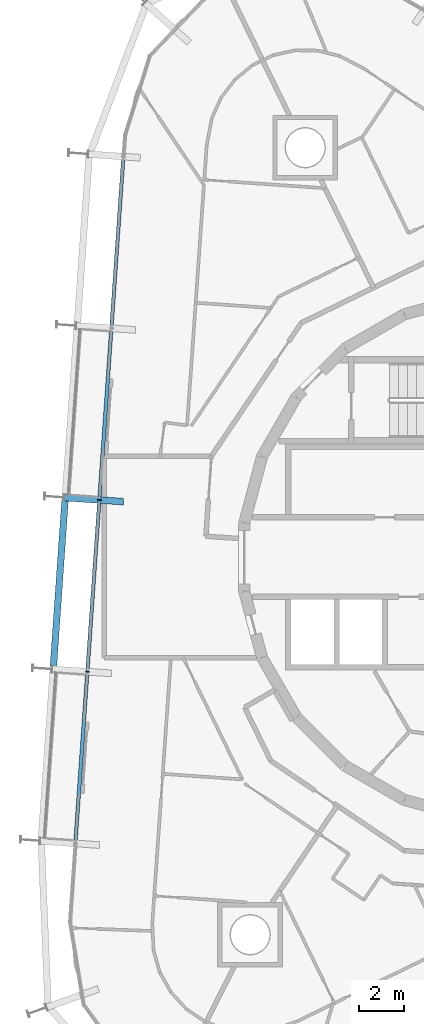
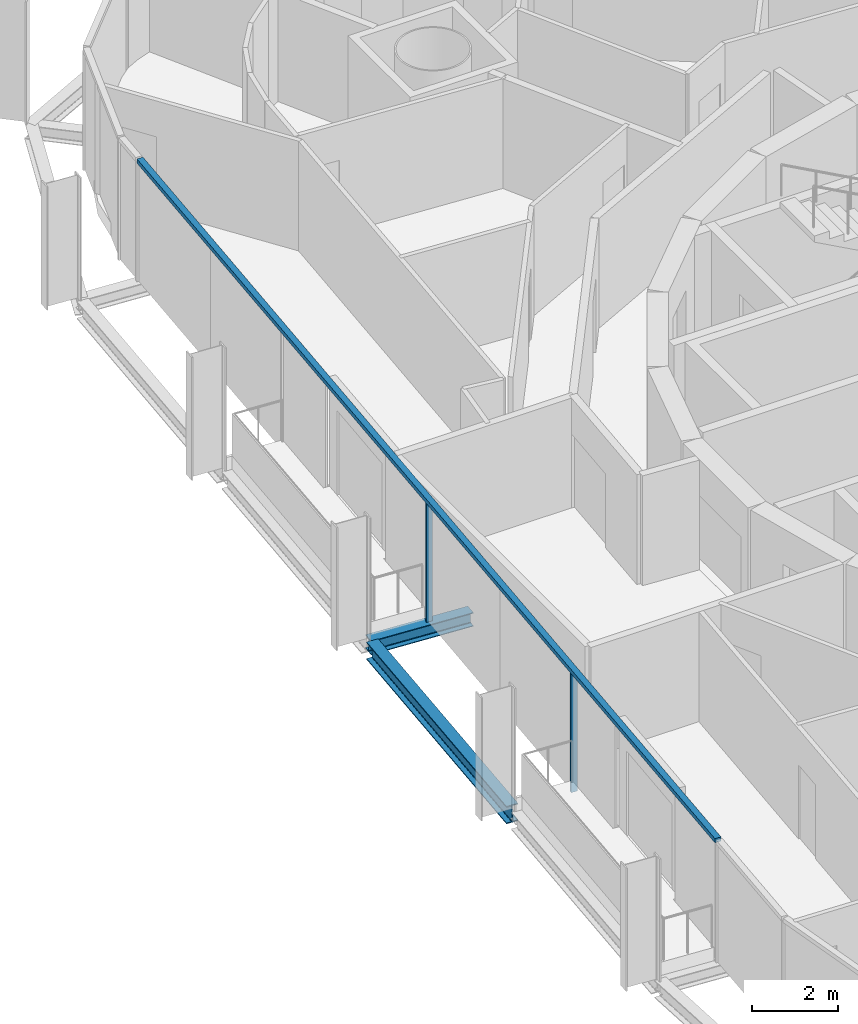
# One storey, part 4 of 18: 3 members, 2 beams, 1 element without a shape of its own.
"""IFC4 building model written with IfcOpenShell, lengths in metres."""

import ifcopenshell
import ifcopenshell.guid

model = None  # the IFC model being written
_history = None  # IfcOwnerHistory: only IFC2X3 demands one
_inside = {}  # id of a spatial element -> (the spatial element, [elements in it])
_under = {}  # id of a project, library or spatial element -> (it, [spatial elements below it])
_declared = {}  # id of a project -> (the project, [libraries it declares])
_typed = {}  # id of a type object -> (the type object, [elements of that type])
_made_of = {}  # id of a material, layer set ... -> (it, [elements and type objects made of it])


def new_model(schema):
    """Start an empty IFC model of exactly this schema.

    Asked for "IFC4X3", IfcOpenShell would pick the latest addendum, in which some entities
    have other attributes; the version numbers below select the first issue.
    IFC2X3 requires an IfcOwnerHistory on every rooted entity: one is made here for all.
    """
    global model, _history
    if schema == "IFC4X3":
        model = ifcopenshell.file(schema_version=(4, 3, 0, 0))
    else:
        model = ifcopenshell.file(schema=schema)
    _inside.clear()
    _under.clear()
    _declared.clear()
    _typed.clear()
    _made_of.clear()
    _history = None
    if model.schema == "IFC2X3":
        org = make("IfcOrganization", Name="unknown")
        user = make(
            "IfcPersonAndOrganization",
            ThePerson=make("IfcPerson", FamilyName="unknown"),
            TheOrganization=org,
        )
        app = make(
            "IfcApplication",
            ApplicationDeveloper=org,
            Version="unknown",
            ApplicationFullName="unknown",
            ApplicationIdentifier="unknown",
        )
        _history = make(
            "IfcOwnerHistory",
            OwningUser=user,
            OwningApplication=app,
            ChangeAction="ADDED",
            CreationDate=0,
        )
    return model


def make(cls, **values):
    """One entity of the class cls with the attributes given. An attribute that is None is left unset."""
    return model.create_entity(
        cls, **{name: value for name, value in values.items() if value is not None}
    )


def rooted(cls, **values):
    """An entity with a GlobalId (a new one), such as an element, a storey or a relation."""
    return make(cls, GlobalId=ifcopenshell.guid.new(), OwnerHistory=_history, **values)


def si_unit(unit_type, name, prefix=None):
    """IfcSIUnit, for example si_unit("LENGTHUNIT", "METRE", prefix="MILLI")."""
    return make("IfcSIUnit", UnitType=unit_type, Prefix=prefix, Name=name)


def assignment(units):
    """IfcUnitAssignment: the units of a project."""
    return None if units is None else make("IfcUnitAssignment", Units=units)


def point(xyz):
    """IfcCartesianPoint."""
    return None if xyz is None else make("IfcCartesianPoint", Coordinates=xyz)


def direction(xyz):
    """IfcDirection."""
    return None if xyz is None else make("IfcDirection", DirectionRatios=xyz)


def frame(location, z_axis=None, x_axis=None):
    """IfcAxis2Placement3D, a coordinate frame: its origin and axes. An axis left out is left unset."""
    return make(
        "IfcAxis2Placement3D",
        Location=point(location),
        Axis=direction(z_axis),
        RefDirection=direction(x_axis),
    )


def frame_2d(location, x_axis=None):
    """IfcAxis2Placement2D, a coordinate frame in the plane: its origin and x axis."""
    return make(
        "IfcAxis2Placement2D", Location=point(location), RefDirection=direction(x_axis)
    )


def origin():
    """The frame at (0, 0, 0) with its axes left unset."""
    return frame((0.0, 0.0, 0.0))


def origin_2d():
    """The frame at (0, 0) in the plane with its x axis left unset."""
    return frame_2d((0.0, 0.0))


def place(relative_to, where):
    """IfcLocalPlacement: puts the frame where relative to a parent placement (None: the world)."""
    return make(
        "IfcLocalPlacement", PlacementRelTo=relative_to, RelativePlacement=where
    )


def context(
    kind, dimensions, precision=None, world=None, true_north=None, identifier=None
):
    """IfcGeometricRepresentationContext, for example the 3D "Model" context."""
    return make(
        "IfcGeometricRepresentationContext",
        ContextIdentifier=identifier,
        ContextType=kind,
        CoordinateSpaceDimension=dimensions,
        Precision=precision,
        WorldCoordinateSystem=world,
        TrueNorth=true_north,
    )


def subcontext(parent, identifier, kind, view, scale=None):
    """IfcGeometricRepresentationSubContext, for example "Body" below "Model"."""
    return make(
        "IfcGeometricRepresentationSubContext",
        ContextIdentifier=identifier,
        ContextType=kind,
        ParentContext=parent,
        TargetScale=scale,
        TargetView=view,
    )


def project(units=None, contexts=None):
    """IfcProject with its units and contexts."""
    return rooted(
        "IfcProject",
        Name="project",
        RepresentationContexts=contexts,
        UnitsInContext=assignment(units),
    )


def spatial(cls, under=None, at=None, **own):
    """A site, building, storey or space (cls), placed at a placement, below another one or the project."""
    s = rooted(cls, ObjectPlacement=at, **own)
    if under is not None:
        _under.setdefault(under.id(), (under, []))[1].append(s)
    return s


def profile(cls, at=None, kind="AREA", **sizes):
    """A parametric profile (cls). Its sizes go by their IFC names, for example OverallWidth=200.0."""
    return make(cls, ProfileType=kind, Position=at, **sizes)


def rectangle(**sizes):
    """IfcRectangleProfileDef."""
    return profile("IfcRectangleProfileDef", **sizes)


def i_section(**sizes):
    """IfcIShapeProfileDef."""
    return profile("IfcIShapeProfileDef", **sizes)


def extrude(swept, where, along, depth):
    """IfcExtrudedAreaSolid: the profile swept, set in the frame where, extruded along a direction by depth."""
    return make(
        "IfcExtrudedAreaSolid",
        SweptArea=swept,
        Position=where,
        ExtrudedDirection=direction(along),
        Depth=depth,
    )


def shape(context_of_items, identifier, shape_type, items):
    """IfcShapeRepresentation: the items that make up one representation, for example the "Body"."""
    return make(
        "IfcShapeRepresentation",
        ContextOfItems=context_of_items,
        RepresentationIdentifier=identifier,
        RepresentationType=shape_type,
        Items=items,
    )


def material(Name=None, Category=None):
    """IfcMaterial."""
    return make("IfcMaterial", Name=Name, Category=Category)


def layer(
    of_material, thickness, ventilated=None, Name=None, Category=None, Priority=None
):
    """IfcMaterialLayer: one layer of a wall or slab, of a material (None: an air gap)."""
    return make(
        "IfcMaterialLayer",
        Material=of_material,
        LayerThickness=thickness,
        IsVentilated=ventilated,
        Name=Name,
        Category=Category,
        Priority=Priority,
    )


def layer_set(layers, Name=None):
    """IfcMaterialLayerSet."""
    return make("IfcMaterialLayerSet", MaterialLayers=layers, LayerSetName=Name)


def material_profile(
    of_material, cross_section, Name=None, Category=None, Priority=None
):
    """IfcMaterialProfile: a cross section and its material."""
    return make(
        "IfcMaterialProfile",
        Name=Name,
        Material=of_material,
        Profile=cross_section,
        Priority=Priority,
        Category=Category,
    )


def profile_set(profiles, Name=None, composite=None):
    """IfcMaterialProfileSet."""
    return make(
        "IfcMaterialProfileSet",
        Name=Name,
        MaterialProfiles=profiles,
        CompositeProfile=composite,
    )


def made_of(thing, what):
    """Note that an element or type object is made of a material, layer set ...; save() writes the relation."""
    if what is not None:
        _made_of.setdefault(what.id(), (what, []))[1].append(thing)
    return thing


def type_object(cls, material=None, **own):
    """A type object (cls), such as IfcWallType, which elements share."""
    return made_of(rooted(cls, **own), material)


def element(
    cls,
    number,
    at=None,
    inside=None,
    cuts=None,
    type_object=None,
    material=None,
    context=None,
    identifier="Body",
    shape_type=None,
    held_by="IfcProductDefinitionShape",
    body=None,
    shapes=None,
    **own,
):
    """One element of the class cls, such as IfcWall. Its Tag is "e" and its number.

    at: its placement. inside: the storey or other place that contains it. cuts: it is an
    opening in that element (IfcRelVoidsElement). A single representation is given by context,
    identifier, shape_type and body (its items); several are given by shapes. held_by: the class
    of the entity that holds the representations. save() writes the other relations.
    """
    e = rooted(cls, Tag="e%d" % number, ObjectPlacement=at, **own)
    if body is not None:
        shapes = [shape(context, identifier, shape_type, body)]
    if shapes is not None:
        e.Representation = make(held_by, Representations=shapes)
    if inside is not None:
        _inside.setdefault(inside.id(), (inside, []))[1].append(e)
    if cuts is not None:
        rooted(
            "IfcRelVoidsElement", RelatingBuildingElement=cuts, RelatedOpeningElement=e
        )
    if type_object is not None:
        _typed.setdefault(type_object.id(), (type_object, []))[1].append(e)
    return made_of(e, material)


def aggregate(whole, parts):
    """IfcRelAggregates: a whole, such as a stair, and the parts it consists of."""
    return rooted("IfcRelAggregates", RelatingObject=whole, RelatedObjects=parts)


def save(model, path):
    """Write the relations noted so far, then the file.

    IfcRelAggregates (storeys below a building ...), IfcRelContainedInSpatialStructure (elements
    in a storey), IfcRelDefinesByType, IfcRelAssociatesMaterial and IfcRelDeclares: one each for
    every whole, place, type object, material and project.
    """
    for whole, parts in _under.values():
        aggregate(whole, parts)
    for where, things in _inside.values():
        rooted(
            "IfcRelContainedInSpatialStructure",
            RelatedElements=things,
            RelatingStructure=where,
        )
    for kind, things in _typed.values():
        rooted("IfcRelDefinesByType", RelatedObjects=things, RelatingType=kind)
    for what, things in _made_of.values():
        rooted("IfcRelAssociatesMaterial", RelatedObjects=things, RelatingMaterial=what)
    for by, libraries in _declared.values():
        rooted("IfcRelDeclares", RelatingContext=by, RelatedDefinitions=libraries)
    model.write(path)


model = new_model("IFC4")

# Units and contexts
model_context = context("Model", 3, precision=1e-05, world=origin(), true_north=direction((0.0, 1.0)))
body_context = subcontext(model_context, "Body", "Model", "MODEL_VIEW")
ifc_project = project(units=[si_unit("LENGTHUNIT", "METRE"), si_unit("AREAUNIT", "SQUARE_METRE"), si_unit("VOLUMEUNIT", "CUBIC_METRE"), si_unit("PLANEANGLEUNIT", "RADIAN"), si_unit("MASSUNIT", "GRAM", prefix="KILO")], contexts=[model_context])

# Site, building, storey
site_placement = place(None, origin())
site = spatial("IfcSite", under=ifc_project, at=site_placement, CompositionType="ELEMENT")
building_placement = place(site_placement, origin())
building = spatial("IfcBuilding", under=site, at=building_placement, Name="Spindle Arch Residences", CompositionType="ELEMENT")
storey_placement = place(building_placement, frame((0.0, 0.0, 198.89990234375)))
storey = spatial("IfcBuildingStorey", under=building, at=storey_placement, Name="L50", CompositionType="ELEMENT", Elevation=198.89990234375)

# Curtain wall, members
ifc_material_1 = material(Name="Aluminium bronze unitised frame with tinted glass", Category="aluminium")
ifc_layer = layer(ifc_material_1, 0.159912109375)
ifc_layer_set = layer_set([ifc_layer], Name="CW-C typical residential unitised wall")
curtain_wall_type = type_object("IfcCurtainWallType", Name="CW-C typical residential unitised wall", PredefinedType="NOTDEFINED", material=ifc_layer_set)
curtain_wall_placement = place(storey_placement, origin())
curtain_wall = element("IfcCurtainWall", 1, at=curtain_wall_placement, inside=storey, type_object=curtain_wall_type, Name="CW-C L50 run 4", PredefinedType="NOTDEFINED")
ifc_material_2 = material(Name="Aluminium bronze anodised mullion", Category="aluminium")
ifc_material_profile_1 = material_profile(ifc_material_2, rectangle(XDim=0.159912109375, YDim=0.06005859375, at=origin_2d()), Name="MU 60x160")
ifc_profile_set_1 = profile_set([ifc_material_profile_1], Name="Aluminium bronze anodised mullion")
member_type_1 = type_object("IfcMemberType", Name="Bronze mullion 60x160", PredefinedType="MULLION", material=ifc_profile_set_1)
member_1_placement = place(storey_placement, frame((-18.126708984375, 2.552978515625, -0.3798828125), z_axis=(0.0, 0.0, 1.0), x_axis=(0.99756405026, -0.069756473744, 0.0)))
member_1 = element("IfcMember", 2, at=member_1_placement, type_object=member_type_1, Name="CW-C mullion 14", PredefinedType="MULLION", context=body_context, shape_type="SweptSolid", body=[
    extrude(rectangle(XDim=0.159912109375, YDim=0.06005859375, at=origin_2d()), origin(), (0.0, 0.0, 1.0), 3.3798828125),
])
member_2_placement = place(storey_placement, frame((-18.66357421875, -5.1220703125, -0.3798828125), z_axis=(0.0, 0.0, 1.0), x_axis=(0.99756405026, -0.069756473744, 0.0)))
member_2 = element("IfcMember", 3, at=member_2_placement, type_object=member_type_1, Name="CW-C mullion 15", PredefinedType="MULLION", context=body_context, shape_type="SweptSolid", body=[
    extrude(rectangle(XDim=0.159912109375, YDim=0.06005859375, at=origin_2d()), origin(), (0.0, 0.0, 1.0), 3.3798828125),
])
ifc_material_3 = material(Name="Aluminium bronze anodised transom", Category="aluminium")
ifc_material_profile_2 = material_profile(ifc_material_3, rectangle(XDim=0.159912109375, YDim=0.1201171875, at=origin_2d()), Name="TR 120x160")
ifc_profile_set_2 = profile_set([ifc_material_profile_2], Name="Aluminium bronze anodised transom")
member_type_2 = type_object("IfcMemberType", Name="Bronze transom 120x160", PredefinedType="USERDEFINED", material=ifc_profile_set_2)
member_3_placement = place(storey_placement, frame((-17.0556640625, 17.873046875, 3.06005859375), z_axis=(-0.069748921728, -0.997564578319, 0.0), x_axis=(0.997564578319, -0.069748921728, 0.0)))
member_3 = element("IfcMember", 4, at=member_3_placement, type_object=member_type_2, Name="CW-C transom 00", ObjectType="TRANSOM", PredefinedType="USERDEFINED", context=body_context, shape_type="SweptSolid", body=[
    extrude(rectangle(XDim=0.159912109375, YDim=0.1201171875, at=origin_2d()), origin(), (0.0, 0.0, 1.0), 30.71484375),
])
aggregate(curtain_wall, [member_3, member_1, member_2])

# Beams
ifc_material_4 = material(Name="Steel S460ML, intumescent coating R 120", Category="steel")
ifc_material_profile_3 = material_profile(ifc_material_4, i_section(OverallWidth=0.300048828125, OverallDepth=0.5, WebThickness=0.014404296875, FlangeThickness=0.028076171875, FilletRadius=0.027099609375, at=origin_2d()), Name="HEB 500")
ifc_profile_set_3 = profile_set([ifc_material_profile_3], Name="Steel S460ML, intumescent coating R 120")
beam_type_1 = type_object("IfcBeamType", Name="Exoskeleton edge beam HEB 500", PredefinedType="BEAM", material=ifc_profile_set_3)
beam_1_placement = place(storey_placement, frame((-19.662109375, 2.530029296875, -0.6298828125), z_axis=(-0.069757879566, -0.997563951954, 0.0), x_axis=(0.997563951954, -0.069757879566, 0.0)))
element("IfcBeam", 5, at=beam_1_placement, inside=storey, type_object=beam_type_1, Name="Exoskeleton edge beam 15", PredefinedType="BEAM", context=body_context, shape_type="SweptSolid", body=[
    extrude(i_section(OverallWidth=0.300048828125, OverallDepth=0.5, WebThickness=0.014404296875, FlangeThickness=0.028076171875, FilletRadius=0.027099609375, at=origin_2d()), origin(), (0.0, 0.0, 1.0), 7.43359375),
])
ifc_material_5 = material(Name="Steel S460ML, intumescent coating R 120", Category="steel")
ifc_material_profile_4 = material_profile(ifc_material_5, i_section(OverallWidth=0.300048828125, OverallDepth=0.389892578125, WebThickness=0.010986328125, FlangeThickness=0.01904296875, FilletRadius=0.027099609375, at=origin_2d()), Name="HEA 400")
ifc_profile_set_4 = profile_set([ifc_material_profile_4], Name="Steel S460ML, intumescent coating R 120")
beam_type_2 = type_object("IfcBeamType", Name="Floor outrigger HEA 400", PredefinedType="BEAM", material=ifc_profile_set_4)
beam_2_placement = place(storey_placement, frame((-19.693115234375, 2.66259765625, -0.574951171875), z_axis=(0.997565124092, -0.069741115528, 0.0), x_axis=(0.069741115528, 0.997565124092, 0.0)))
element("IfcBeam", 6, at=beam_2_placement, inside=storey, type_object=beam_type_2, Name="Floor outrigger 15", PredefinedType="BEAM", context=body_context, shape_type="SweptSolid", body=[
    extrude(i_section(OverallWidth=0.300048828125, OverallDepth=0.389892578125, WebThickness=0.010986328125, FlangeThickness=0.01904296875, FilletRadius=0.027099609375, at=origin_2d()), origin(), (0.0, 0.0, 1.0), 2.64990234375),
])

save(model, "model.ifc")
